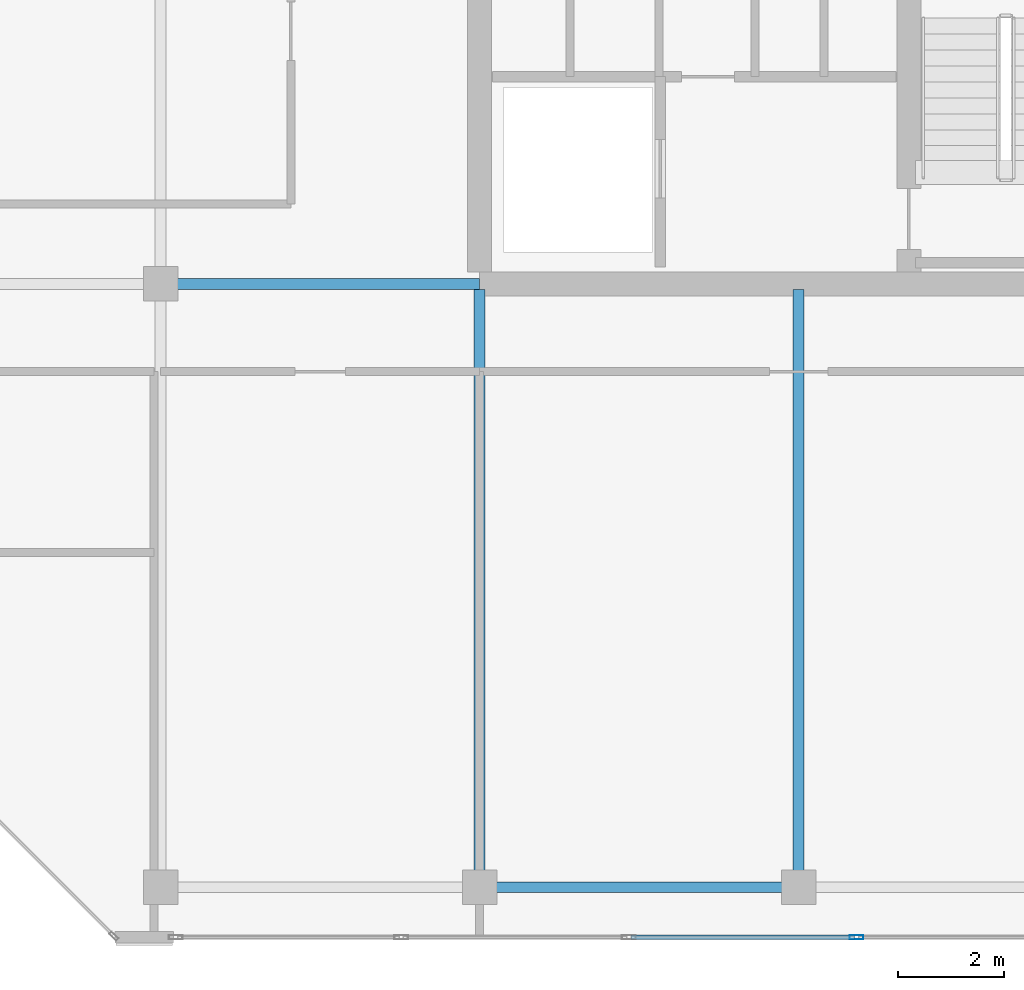
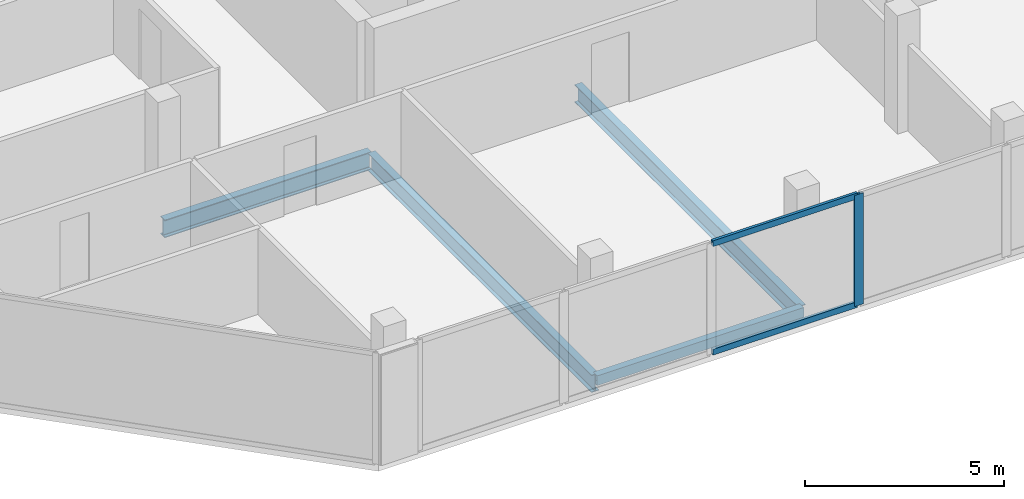
# One storey, part 11 of 30: 4 beams, 3 members, 1 element without a shape of its own.
"""IFC4 building model written with IfcOpenShell, lengths in metres."""

from ifc_helpers import new_model, si_unit, direction, frame, origin, origin_2d, place, context, subcontext, project, spatial, hollow_rectangle, i_section, extrude, material, layer, layer_set, material_profile, profile_set, type_object, element, aggregate, save


model = new_model("IFC4")

# Units and contexts
model_context = context("Model", 3, precision=1e-05, world=origin(), true_north=direction((0.0, 1.0)))
body_context = subcontext(model_context, "Body", "Model", "MODEL_VIEW")
ifc_project = project(units=[si_unit("LENGTHUNIT", "METRE"), si_unit("AREAUNIT", "SQUARE_METRE"), si_unit("VOLUMEUNIT", "CUBIC_METRE"), si_unit("PLANEANGLEUNIT", "RADIAN"), si_unit("MASSUNIT", "GRAM", prefix="KILO")], contexts=[model_context])

# Site, building, storey
site_placement = place(None, origin())
site = spatial("IfcSite", under=ifc_project, at=site_placement, CompositionType="ELEMENT")
building_placement = place(site_placement, origin())
building = spatial("IfcBuilding", under=site, at=building_placement, Name="Tanjung Sevakor Pilgrim Tower", CompositionType="ELEMENT")
storey_placement = place(building_placement, frame((0.0, 0.0, 253.43994140625)))
storey = spatial("IfcBuildingStorey", under=building, at=storey_placement, Name="L71", CompositionType="ELEMENT", Elevation=253.43994140625)

# Beams
ifc_material_1 = material(Name="Steel S355J2", Category="steel")
ifc_material_profile_1 = material_profile(ifc_material_1, i_section(OverallWidth=0.2119140625, OverallDepth=0.54443359375, WebThickness=0.0126953125, FlangeThickness=0.021240234375, FilletRadius=0.0126953125, at=origin_2d()))
ifc_profile_set_1 = profile_set([ifc_material_profile_1], Name="Steel S355J2")
beam_type_1 = type_object("IfcBeamType", Name="BM-B-G5-UB_533x210x122", PredefinedType="BEAM", material=ifc_profile_set_1)
beam_1_placement = place(storey_placement, frame((72.0, 24.60009765625, -0.4921875), z_axis=(1.0, 0.0, 0.0), x_axis=(0.0, 1.0, 0.0)))
element("IfcBeam", 1, at=beam_1_placement, inside=storey, type_object=beam_type_1, Name="L71 Primary Floor Girder EAST Y246-02", PredefinedType="BEAM", context=body_context, shape_type="SweptSolid", body=[
    extrude(i_section(OverallWidth=0.2119140625, OverallDepth=0.54443359375, WebThickness=0.0126953125, FlangeThickness=0.021240234375, FilletRadius=0.0126953125, at=origin_2d()), origin(), (0.0, 0.0, 1.0), 6.0),
])
ifc_material_2 = material(Name="Steel S355J2", Category="steel")
ifc_material_profile_2 = material_profile(ifc_material_2, i_section(OverallWidth=0.210693359375, OverallDepth=0.53955078125, WebThickness=0.01171875, FlangeThickness=0.018798828125, FilletRadius=0.0126953125, at=origin_2d()))
ifc_profile_set_2 = profile_set([ifc_material_profile_2], Name="Steel S355J2")
beam_type_2 = type_object("IfcBeamType", Name="BM-B-G6-UB_533x210x109", PredefinedType="BEAM", material=ifc_profile_set_2)
for number, where, z_axis, x_axis, name in (
    (2, (78.0, 13.25, -0.48974609375), (0.0, 1.0, 0.0), (-1.0, 0.0, 0.0), "L71 EAST Girder 005"),
    (3, (84.0, 13.25, -0.48974609375), (0.0, 1.0, 0.0), (-1.0, 0.0, 0.0), "L71 EAST Girder 007"),
):
    element("IfcBeam", number, at=place(storey_placement, frame(where, z_axis=z_axis, x_axis=x_axis)), inside=storey, type_object=beam_type_2, Name=name, PredefinedType="BEAM", context=body_context, shape_type="SweptSolid", body=[
        extrude(i_section(OverallWidth=0.210693359375, OverallDepth=0.53955078125, WebThickness=0.01171875, FlangeThickness=0.018798828125, FilletRadius=0.0126953125, at=origin_2d()), origin(), (0.0, 0.0, 1.0), 11.243896484375),
    ])
ifc_material_3 = material(Name="Steel S355J2", Category="steel")
ifc_material_profile_3 = material_profile(ifc_material_3, hollow_rectangle(XDim=0.199951171875, YDim=0.300048828125, WallThickness=0.012451171875, at=origin_2d()))
ifc_profile_set_3 = profile_set([ifc_material_profile_3], Name="Steel S355J2")
beam_type_3 = type_object("IfcBeamType", Name="BM-B-SP3-RHS_300x200x12.5", PredefinedType="SPANDREL", material=ifc_profile_set_3)
beam_2_placement = place(storey_placement, frame((78.0, 13.25, -0.369873046875), z_axis=(1.0, 0.0, 0.0), x_axis=(0.0, 1.0, 0.0)))
element("IfcBeam", 4, at=beam_2_placement, inside=storey, type_object=beam_type_3, Name="L71 Spandrel EAST S-03", PredefinedType="SPANDREL", context=body_context, shape_type="SweptSolid", body=[
    extrude(hollow_rectangle(XDim=0.199951171875, YDim=0.300048828125, WallThickness=0.012451171875, at=origin_2d()), origin(), (0.0, 0.0, 1.0), 6.0),
])

# Curtain wall, members
ifc_material_4 = material(Name="Aluminium 6063-T6 and Low-E Glass", Category="aluminium")
ifc_layer = layer(ifc_material_4, 0.219970703125)
ifc_layer_set = layer_set([ifc_layer], Name="CW-SYS-CRNE")
curtain_wall_type = type_object("IfcCurtainWallType", Name="CW-SYS-CRNE", PredefinedType="NOTDEFINED", material=ifc_layer_set)
curtain_wall_placement = place(storey_placement, origin())
curtain_wall = element("IfcCurtainWall", 5, at=curtain_wall_placement, inside=storey, type_object=curtain_wall_type, Name="L71 Curtain Wall CW-CRN-L71-EAST-0-1", PredefinedType="NOTDEFINED")
ifc_material_5 = material(Name="Aluminium 6063-T6", Category="aluminium")
ifc_material_profile_4 = material_profile(ifc_material_5, hollow_rectangle(XDim=0.080078125, YDim=0.260009765625, WallThickness=0.0048828125, at=origin_2d()))
ifc_profile_set_4 = profile_set([ifc_material_profile_4], Name="Aluminium 6063-T6")
member_type_1 = type_object("IfcMemberType", Name="TYPE-CWM-3", PredefinedType="MULLION", material=ifc_profile_set_4)
member_1_placement = place(storey_placement, frame((85.0908203125, 12.31005859375, 0.0), z_axis=(0.0, 0.0, 1.0), x_axis=(0.0, 1.0, 0.0)))
member_1 = element("IfcMember", 6, at=member_1_placement, type_object=member_type_1, Name="CW-CRE mullion 4", PredefinedType="MULLION", context=body_context, shape_type="SweptSolid", body=[
    extrude(hollow_rectangle(XDim=0.080078125, YDim=0.260009765625, WallThickness=0.0048828125, at=origin_2d()), origin(), (0.0, 0.0, 1.0), 3.41015625),
])
ifc_material_6 = material(Name="Aluminium 6063-T6", Category="aluminium")
ifc_material_profile_5 = material_profile(ifc_material_6, hollow_rectangle(XDim=0.080078125, YDim=0.179931640625, WallThickness=0.0048828125, at=origin_2d()))
ifc_profile_set_5 = profile_set([ifc_material_profile_5], Name="Aluminium 6063-T6")
member_type_2 = type_object("IfcMemberType", Name="TYPE-CWT-3", PredefinedType="USERDEFINED", material=ifc_profile_set_5)
member_2_placement = place(storey_placement, frame((80.84912109375, 12.31005859375, 0.0400390625), z_axis=(1.0, 0.0, 0.0), x_axis=(0.0, 1.0, 0.0)))
member_2 = element("IfcMember", 7, at=member_2_placement, type_object=member_type_2, Name="CW-CRE transom 3.1", ObjectType="TRANSOM", PredefinedType="USERDEFINED", context=body_context, shape_type="SweptSolid", body=[
    extrude(hollow_rectangle(XDim=0.080078125, YDim=0.179931640625, WallThickness=0.0048828125, at=origin_2d()), origin(), (0.0, 0.0, 1.0), 4.20166015625),
])
member_3_placement = place(storey_placement, frame((80.84912109375, 12.31005859375, 3.3701171875), z_axis=(1.0, 0.0, 0.0), x_axis=(0.0, 1.0, 0.0)))
member_3 = element("IfcMember", 8, at=member_3_placement, type_object=member_type_2, Name="CW-CRE transom 3.2", ObjectType="TRANSOM", PredefinedType="USERDEFINED", context=body_context, shape_type="SweptSolid", body=[
    extrude(hollow_rectangle(XDim=0.080078125, YDim=0.179931640625, WallThickness=0.0048828125, at=origin_2d()), origin(), (0.0, 0.0, 1.0), 4.20166015625),
])
aggregate(curtain_wall, [member_1, member_2, member_3])

save(model, "model.ifc")
